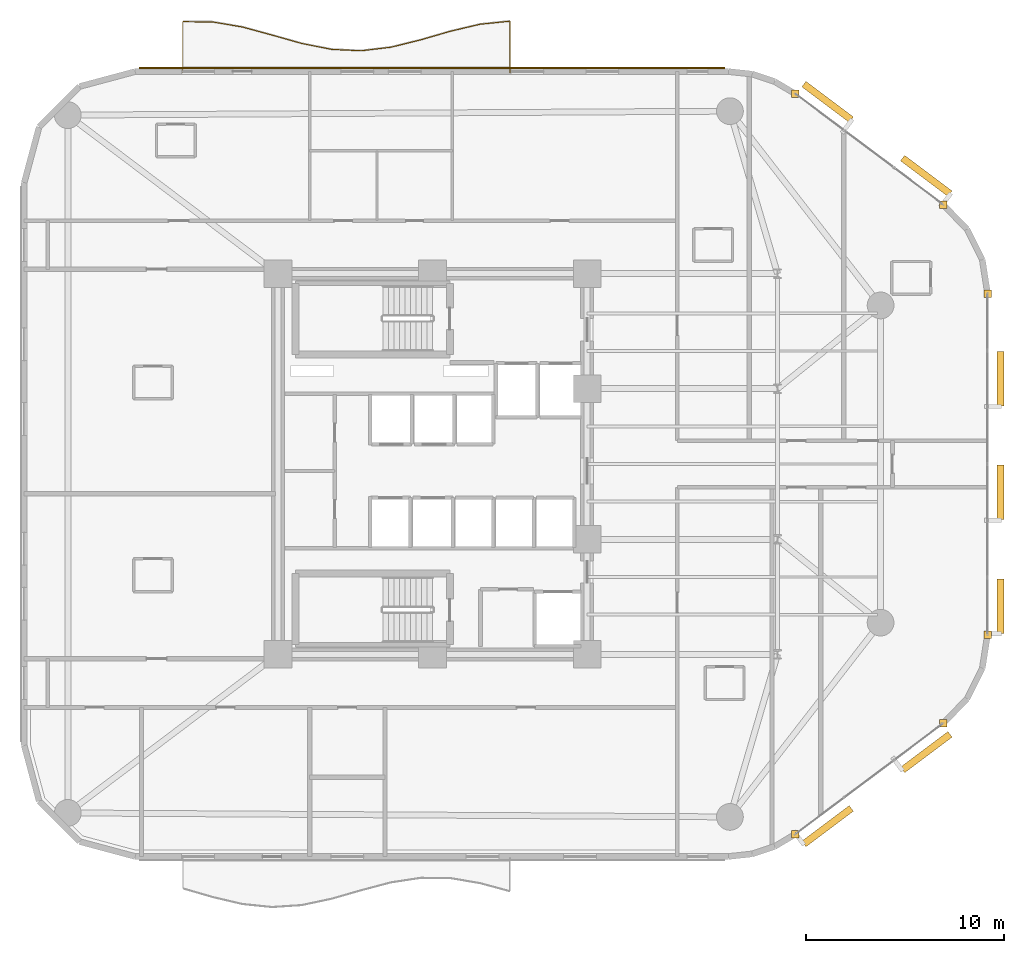
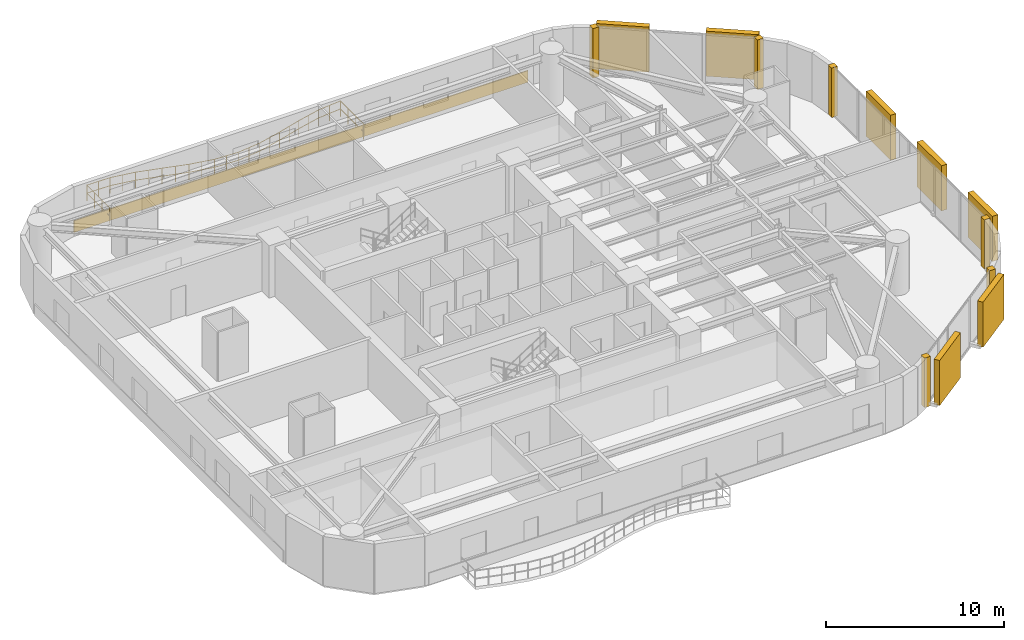
# One storey, part 16 of 16: 7 coverings, 7 shading devices, 1 railing.
"""IFC4 building model written with IfcOpenShell, lengths in metres."""

from ifc_helpers import new_model, si_unit, direction, frame, origin, origin_2d, place, context, subcontext, project, spatial, rectangle, circle, extrude, material, layer, layer_set, type_object, element, save


model = new_model("IFC4")

# Units and contexts
model_context = context("Model", 3, precision=1e-05, world=origin(), true_north=direction((0.0, 1.0)))
body_context = subcontext(model_context, "Body", "Model", "MODEL_VIEW")
ifc_project = project(units=[si_unit("LENGTHUNIT", "METRE"), si_unit("AREAUNIT", "SQUARE_METRE"), si_unit("VOLUMEUNIT", "CUBIC_METRE"), si_unit("PLANEANGLEUNIT", "RADIAN"), si_unit("MASSUNIT", "GRAM", prefix="KILO")], contexts=[model_context])

# Site, building, storey
site_placement = place(None, origin())
site = spatial("IfcSite", under=ifc_project, at=site_placement, CompositionType="ELEMENT")
building_placement = place(site_placement, origin())
building = spatial("IfcBuilding", under=site, at=building_placement, Name="An Khanh Terracotta Commons", CompositionType="ELEMENT")
storey_placement = place(building_placement, frame((0.0, 0.0, 89.89990234375)))
storey = spatial("IfcBuildingStorey", under=building, at=storey_placement, Name="L23", CompositionType="ELEMENT", Elevation=89.89990234375)

# Coverings
ifc_material_1 = material(Name="Fired Terracotta Rainscreen Cladding", Category="masonry")
ifc_layer_1 = layer(ifc_material_1, 0.080078125, Name="Fired Terracotta Rainscreen Cladding")
ifc_layer_set_1 = layer_set([ifc_layer_1], Name="Fired Terracotta Rainscreen Cladding")
covering_type_1 = type_object("IfcCoveringType", Name="COV-JAMB-TERRA", PredefinedType="CLADDING", material=ifc_layer_set_1)
for number, where, z_axis, x_axis, name in (
    (1, (47.693115234375, 5.320068359375, 0.000244140625), (0.0, 0.0, 1.0), (1.0, 0.0, 0.0), "L23 CW-02 Curtain-Wall Jamb Closure JA"),
    (2, (55.159912109375, 10.919921875, 0.000244140625), (0.0, 0.0, 1.0), (1.0, 0.0, 0.0), "L23 CW-02 Curtain-Wall Jamb Closure JB"),
    (3, (57.39990234375, 15.39990234375, 0.000244140625), (0.0, 0.0, 1.0), (1.0, 0.0, 0.0), "L23 CW-02 Curtain-Wall Jamb Closure JA"),
    (4, (57.39990234375, 32.60009765625, 0.000244140625), (0.0, 0.0, 1.0), (1.0, 0.0, 0.0), "L23 CW-02 Curtain-Wall Jamb Closure JB"),
    (5, (55.159912109375, 37.080078125, 0.000244140625), (0.0, 0.0, 1.0), (1.0, 0.0, 0.0), "L23 CW-02 Curtain-Wall Jamb Closure JA"),
    (6, (47.693115234375, 42.679931640625, 0.000244140625), (0.0, 0.0, 1.0), (1.0, 0.0, 0.0), "L23 CW-02 Curtain-Wall Jamb Closure JB"),
):
    element("IfcCovering", number, at=place(storey_placement, frame(where, z_axis=z_axis, x_axis=x_axis)), inside=storey, type_object=covering_type_1, Name=name, PredefinedType="CLADDING", context=body_context, shape_type="SweptSolid", body=[
        extrude(rectangle(XDim=0.3798828125, YDim=0.3798828125, at=origin_2d()), origin(), (0.0, 0.0, 1.0), 3.39990234375),
    ])
ifc_layer_2 = layer(ifc_material_1, 0.06005859375, Name="Fired Terracotta Rainscreen Cladding")
ifc_layer_set_2 = layer_set([ifc_layer_2], Name="Fired Terracotta Rainscreen Cladding")
covering_type_2 = type_object("IfcCoveringType", Name="COV-SPANDREL-TERRA", PredefinedType="CLADDING", material=ifc_layer_set_2)
covering_placement = place(storey_placement, frame((29.365966796875, 43.97998046875, 0.02001953125), z_axis=(0.0, 0.0, 1.0), x_axis=(-1.0, 0.0, 0.0)))
element("IfcCovering", 7, at=covering_placement, inside=storey, type_object=covering_type_2, Name="L23 Terracotta Spandrel Cladding 20", PredefinedType="CLADDING", context=body_context, shape_type="SweptSolid", body=[
    extrude(rectangle(XDim=29.532958984375, YDim=0.06005859375, at=origin_2d()), origin(), (0.0, 0.0, 1.0), 0.800048828125),
])

# Railing
ifc_material_2 = material(Name="Brushed Stainless Steel 316", Category="steel")
railing_type = type_object("IfcRailingType", Name="RAIL-BALUSTRADE-1100", PredefinedType="BALUSTRADE", material=ifc_material_2)
railing_placement = place(storey_placement, frame((33.300048828125, 43.739990234375, 0.0)))
element("IfcRailing", 8, at=railing_placement, inside=storey, type_object=railing_type, Name="L23 N Wave Balcony Guard Balustrade", PredefinedType="BALUSTRADE", context=body_context, shape_type="SweptSolid", body=[
    extrude(circle(Radius=0.02392578125, at=origin_2d()), frame((0.0, 0.0, 1.076171875), z_axis=(0.0, 1.0, 0.0), x_axis=(-1.0, 0.0, 0.0)), (0.0, 0.0, 1.0), 2.597900390625),
    extrude(circle(Radius=0.02392578125, at=origin_2d()), frame((0.0, 0.0, 0.52587890625), z_axis=(0.0, 1.0, 0.0), x_axis=(-1.0, 0.0, 0.0)), (0.0, 0.0, 1.0), 2.597900390625),
    extrude(circle(Radius=0.02392578125, at=origin_2d()), frame((0.0, 2.597900390625, 1.076171875), z_axis=(-0.994849482387, -0.101363244788, 0.0), x_axis=(0.101363244788, -0.994849482387, 0.0)), (0.0, 0.0, 1.0), 1.5078125),
    extrude(circle(Radius=0.02392578125, at=origin_2d()), frame((0.0, 2.597900390625, 0.52587890625), z_axis=(-0.994849482387, -0.101363244788, 0.0), x_axis=(0.101363244788, -0.994849482387, 0.0)), (0.0, 0.0, 1.0), 1.5078125),
    extrude(circle(Radius=0.02392578125, at=origin_2d()), frame((-1.5, 2.445068359375, 1.076171875), z_axis=(-0.973263214687, -0.229692653206, 0.0), x_axis=(0.229692653206, -0.973263214687, 0.0)), (0.0, 0.0, 1.0), 1.541259765625),
    extrude(circle(Radius=0.02392578125, at=origin_2d()), frame((-1.5, 2.445068359375, 0.52587890625), z_axis=(-0.973263214687, -0.229692653206, 0.0), x_axis=(0.229692653206, -0.973263214687, 0.0)), (0.0, 0.0, 1.0), 1.541259765625),
    extrude(circle(Radius=0.02392578125, at=origin_2d()), frame((-3.0, 2.091064453125, 1.076171875), z_axis=(-0.960419102414, -0.278559056071, 0.0), x_axis=(0.278559056071, -0.960419102414, 0.0)), (0.0, 0.0, 1.0), 1.561767578125),
    extrude(circle(Radius=0.02392578125, at=origin_2d()), frame((-3.0, 2.091064453125, 0.52587890625), z_axis=(-0.960419102414, -0.278559056071, 0.0), x_axis=(0.278559056071, -0.960419102414, 0.0)), (0.0, 0.0, 1.0), 1.561767578125),
    extrude(circle(Radius=0.02392578125, at=origin_2d()), frame((-4.5, 1.656005859375, 1.076171875), z_axis=(-0.970881568768, -0.239559970419, 0.0), x_axis=(0.239559970419, -0.970881568768, 0.0)), (0.0, 0.0, 1.0), 1.544921875),
    extrude(circle(Radius=0.02392578125, at=origin_2d()), frame((-4.5, 1.656005859375, 0.52587890625), z_axis=(-0.970881568768, -0.239559970419, 0.0), x_axis=(0.239559970419, -0.970881568768, 0.0)), (0.0, 0.0, 1.0), 1.544921875),
    extrude(circle(Radius=0.02392578125, at=origin_2d()), frame((-6.0, 1.285888671875, 1.076171875), z_axis=(-0.99288219023, -0.11910061429, 0.0), x_axis=(0.11910061429, -0.99288219023, 0.0)), (0.0, 0.0, 1.0), 1.5107421875),
    extrude(circle(Radius=0.02392578125, at=origin_2d()), frame((-6.0, 1.285888671875, 0.52587890625), z_axis=(-0.99288219023, -0.11910061429, 0.0), x_axis=(0.11910061429, -0.99288219023, 0.0)), (0.0, 0.0, 1.0), 1.5107421875),
    extrude(circle(Radius=0.02392578125, at=origin_2d()), frame((-7.5, 1.10595703125, 1.076171875), z_axis=(-0.998880243389, 0.047310245903, 0.0), x_axis=(-0.047310245903, -0.998880243389, 0.0)), (0.0, 0.0, 1.0), 1.501708984375),
    extrude(circle(Radius=0.02392578125, at=origin_2d()), frame((-7.5, 1.10595703125, 0.52587890625), z_axis=(-0.998880243389, 0.047310245903, 0.0), x_axis=(-0.047310245903, -0.998880243389, 0.0)), (0.0, 0.0, 1.0), 1.501708984375),
    extrude(circle(Radius=0.02392578125, at=origin_2d()), frame((-9.0, 1.177001953125, 1.076171875), z_axis=(-0.980819402607, 0.194918699639, 0.0), x_axis=(-0.194918699639, -0.980819402607, 0.0)), (0.0, 0.0, 1.0), 1.529296875),
    extrude(circle(Radius=0.02392578125, at=origin_2d()), frame((-9.0, 1.177001953125, 0.52587890625), z_axis=(-0.980819402607, 0.194918699639, 0.0), x_axis=(-0.194918699639, -0.980819402607, 0.0)), (0.0, 0.0, 1.0), 1.529296875),
    extrude(circle(Radius=0.02392578125, at=origin_2d()), frame((-10.5, 1.47509765625, 1.076171875), z_axis=(-0.962323659406, 0.271906554806, 0.0), x_axis=(-0.271906554806, -0.962323659406, 0.0)), (0.0, 0.0, 1.0), 1.558837890625),
    extrude(circle(Radius=0.02392578125, at=origin_2d()), frame((-10.5, 1.47509765625, 0.52587890625), z_axis=(-0.962323659406, 0.271906554806, 0.0), x_axis=(-0.271906554806, -0.962323659406, 0.0)), (0.0, 0.0, 1.0), 1.558837890625),
    extrude(circle(Radius=0.02392578125, at=origin_2d()), frame((-12.0, 1.89892578125, 1.076171875), z_axis=(-0.964908643051, 0.262585815622, 0.0), x_axis=(-0.262585815622, -0.964908643051, 0.0)), (0.0, 0.0, 1.0), 1.554443359375),
    extrude(circle(Radius=0.02392578125, at=origin_2d()), frame((-12.0, 1.89892578125, 0.52587890625), z_axis=(-0.964908643051, 0.262585815622, 0.0), x_axis=(-0.262585815622, -0.964908643051, 0.0)), (0.0, 0.0, 1.0), 1.554443359375),
    extrude(circle(Radius=0.02392578125, at=origin_2d()), frame((-13.5, 2.30712890625, 1.076171875), z_axis=(-0.986079829755, 0.16627257546, 0.0), x_axis=(-0.16627257546, -0.986079829755, 0.0)), (0.0, 0.0, 1.0), 1.521240234375),
    extrude(circle(Radius=0.02392578125, at=origin_2d()), frame((-13.5, 2.30712890625, 0.52587890625), z_axis=(-0.986079829755, 0.16627257546, 0.0), x_axis=(-0.16627257546, -0.986079829755, 0.0)), (0.0, 0.0, 1.0), 1.521240234375),
    extrude(circle(Radius=0.02392578125, at=origin_2d()), frame((-15.0, 2.56005859375, 1.076171875), z_axis=(-0.999956968224, 0.009276944529, 0.0), x_axis=(-0.009276944529, -0.999956968224, 0.0)), (0.0, 0.0, 1.0), 1.5),
    extrude(circle(Radius=0.02392578125, at=origin_2d()), frame((-15.0, 2.56005859375, 0.52587890625), z_axis=(-0.999956968224, 0.009276944529, 0.0), x_axis=(-0.009276944529, -0.999956968224, 0.0)), (0.0, 0.0, 1.0), 1.5),
    extrude(circle(Radius=0.02392578125, at=origin_2d()), frame((-16.5, 2.573974609375, 1.076171875), z_axis=(0.0, -1.0, 0.0), x_axis=(1.0, 0.0, 0.0)), (0.0, 0.0, 1.0), 2.573974609375),
    extrude(circle(Radius=0.02392578125, at=origin_2d()), frame((-16.5, 2.573974609375, 0.52587890625), z_axis=(0.0, -1.0, 0.0), x_axis=(1.0, 0.0, 0.0)), (0.0, 0.0, 1.0), 2.573974609375),
    extrude(circle(Radius=0.02099609375, at=origin_2d()), origin(), (0.0, 0.0, 1.0), 1.052001953125),
    extrude(circle(Radius=0.02099609375, at=origin_2d()), frame((0.0, 0.865966796875, 0.0)), (0.0, 0.0, 1.0), 1.052001953125),
    extrude(circle(Radius=0.02099609375, at=origin_2d()), frame((0.0, 1.73193359375, 0.0)), (0.0, 0.0, 1.0), 1.052001953125),
    extrude(circle(Radius=0.02099609375, at=origin_2d()), frame((0.0, 2.597900390625, 0.0)), (0.0, 0.0, 1.0), 1.052001953125),
    extrude(circle(Radius=0.02099609375, at=origin_2d()), frame((-0.75, 2.521484375, 0.0)), (0.0, 0.0, 1.0), 1.052001953125),
    extrude(circle(Radius=0.02099609375, at=origin_2d()), frame((-1.5, 2.445068359375, 0.0)), (0.0, 0.0, 1.0), 1.052001953125),
    extrude(circle(Radius=0.02099609375, at=origin_2d()), frame((-2.25, 2.26806640625, 0.0)), (0.0, 0.0, 1.0), 1.052001953125),
    extrude(circle(Radius=0.02099609375, at=origin_2d()), frame((-3.0, 2.091064453125, 0.0)), (0.0, 0.0, 1.0), 1.052001953125),
    extrude(circle(Radius=0.02099609375, at=origin_2d()), frame((-3.75, 1.87353515625, 0.0)), (0.0, 0.0, 1.0), 1.052001953125),
    extrude(circle(Radius=0.02099609375, at=origin_2d()), frame((-4.5, 1.656005859375, 0.0)), (0.0, 0.0, 1.0), 1.052001953125),
    extrude(circle(Radius=0.02099609375, at=origin_2d()), frame((-5.25, 1.470947265625, 0.0)), (0.0, 0.0, 1.0), 1.052001953125),
    extrude(circle(Radius=0.02099609375, at=origin_2d()), frame((-6.0, 1.285888671875, 0.0)), (0.0, 0.0, 1.0), 1.052001953125),
    extrude(circle(Radius=0.02099609375, at=origin_2d()), frame((-6.75, 1.19580078125, 0.0)), (0.0, 0.0, 1.0), 1.052001953125),
    extrude(circle(Radius=0.02099609375, at=origin_2d()), frame((-7.5, 1.10595703125, 0.0)), (0.0, 0.0, 1.0), 1.052001953125),
    extrude(circle(Radius=0.02099609375, at=origin_2d()), frame((-8.25, 1.1416015625, 0.0)), (0.0, 0.0, 1.0), 1.052001953125),
    extrude(circle(Radius=0.02099609375, at=origin_2d()), frame((-9.0, 1.177001953125, 0.0)), (0.0, 0.0, 1.0), 1.052001953125),
    extrude(circle(Radius=0.02099609375, at=origin_2d()), frame((-9.75, 1.326171875, 0.0)), (0.0, 0.0, 1.0), 1.052001953125),
    extrude(circle(Radius=0.02099609375, at=origin_2d()), frame((-10.5, 1.47509765625, 0.0)), (0.0, 0.0, 1.0), 1.052001953125),
    extrude(circle(Radius=0.02099609375, at=origin_2d()), frame((-11.25, 1.68701171875, 0.0)), (0.0, 0.0, 1.0), 1.052001953125),
    extrude(circle(Radius=0.02099609375, at=origin_2d()), frame((-12.0, 1.89892578125, 0.0)), (0.0, 0.0, 1.0), 1.052001953125),
    extrude(circle(Radius=0.02099609375, at=origin_2d()), frame((-12.75, 2.10302734375, 0.0)), (0.0, 0.0, 1.0), 1.052001953125),
    extrude(circle(Radius=0.02099609375, at=origin_2d()), frame((-13.5, 2.30712890625, 0.0)), (0.0, 0.0, 1.0), 1.052001953125),
    extrude(circle(Radius=0.02099609375, at=origin_2d()), frame((-14.25, 2.43359375, 0.0)), (0.0, 0.0, 1.0), 1.052001953125),
    extrude(circle(Radius=0.02099609375, at=origin_2d()), frame((-15.0, 2.56005859375, 0.0)), (0.0, 0.0, 1.0), 1.052001953125),
    extrude(circle(Radius=0.02099609375, at=origin_2d()), frame((-15.75, 2.56689453125, 0.0)), (0.0, 0.0, 1.0), 1.052001953125),
    extrude(circle(Radius=0.02099609375, at=origin_2d()), frame((-16.5, 2.573974609375, 0.0)), (0.0, 0.0, 1.0), 1.052001953125),
    extrude(circle(Radius=0.02099609375, at=origin_2d()), frame((-16.5, 1.716064453125, 0.0)), (0.0, 0.0, 1.0), 1.052001953125),
    extrude(circle(Radius=0.02099609375, at=origin_2d()), frame((-16.5, 0.85791015625, 0.0)), (0.0, 0.0, 1.0), 1.052001953125),
    extrude(circle(Radius=0.02099609375, at=origin_2d()), frame((-16.5, 0.0, 0.0)), (0.0, 0.0, 1.0), 1.052001953125),
])

# Shading devices
ifc_material_3 = material(Name="Extruded Fired Terracotta", Category="masonry")
shading_device_type = type_object("IfcShadingDeviceType", Name="Terracotta Baguette Screen Assembly", PredefinedType="USERDEFINED", material=ifc_material_3)
for number, where, z_axis, x_axis, name in (
    (9, (49.326904296875, 5.73291015625, 0.150146484375), (0.0, 0.0, 1.0), (0.800012856594, 0.599982857492, 0.0), "L23 Terracotta Baguette Screen 1"),
    (10, (54.304931640625, 9.467041015625, 0.150146484375), (0.0, 0.0, 1.0), (0.800012856594, 0.599982857492, 0.0), "L23 Terracotta Baguette Screen 3"),
):
    element("IfcShadingDevice", number, at=place(storey_placement, frame(where, z_axis=z_axis, x_axis=x_axis)), inside=storey, type_object=shading_device_type, Name=name, ObjectType="BAGUETTE", PredefinedType="USERDEFINED", context=body_context, shape_type="SweptSolid", body=[
        extrude(rectangle(XDim=2.990966796875, YDim=0.35009765625, at=origin_2d()), origin(), (0.0, 0.0, 1.0), 3.10009765625),
    ])
for number, where, z_axis, x_axis, name in (
    (11, (58.050048828125, 16.8330078125, 0.150146484375), (0.0, 0.0, 1.0), (0.0, 1.0, 0.0), "L23 Terracotta Baguette Screen 1"),
    (12, (58.050048828125, 22.56689453125, 0.150146484375), (0.0, 0.0, 1.0), (0.0, 1.0, 0.0), "L23 Terracotta Baguette Screen 3"),
    (13, (58.050048828125, 28.300048828125, 0.150146484375), (0.0, 0.0, 1.0), (0.0, 1.0, 0.0), "L23 Terracotta Baguette Screen 5"),
):
    element("IfcShadingDevice", number, at=place(storey_placement, frame(where, z_axis=z_axis, x_axis=x_axis)), inside=storey, type_object=shading_device_type, Name=name, ObjectType="BAGUETTE", PredefinedType="USERDEFINED", context=body_context, shape_type="SweptSolid", body=[
        extrude(rectangle(XDim=2.7470703125, YDim=0.35009765625, at=origin_2d()), origin(), (0.0, 0.0, 1.0), 3.10009765625),
    ])
for number, where, z_axis, x_axis, name in (
    (14, (54.304931640625, 38.532958984375, 0.150146484375), (0.0, 0.0, 1.0), (-0.800012856594, 0.599982857492, 0.0), "L23 Terracotta Baguette Screen 1"),
    (15, (49.326904296875, 42.26708984375, 0.150146484375), (0.0, 0.0, 1.0), (-0.800012856594, 0.599982857492, 0.0), "L23 Terracotta Baguette Screen 3"),
):
    element("IfcShadingDevice", number, at=place(storey_placement, frame(where, z_axis=z_axis, x_axis=x_axis)), inside=storey, type_object=shading_device_type, Name=name, ObjectType="BAGUETTE", PredefinedType="USERDEFINED", context=body_context, shape_type="SweptSolid", body=[
        extrude(rectangle(XDim=2.990966796875, YDim=0.35009765625, at=origin_2d()), origin(), (0.0, 0.0, 1.0), 3.10009765625),
    ])

save(model, "model.ifc")
